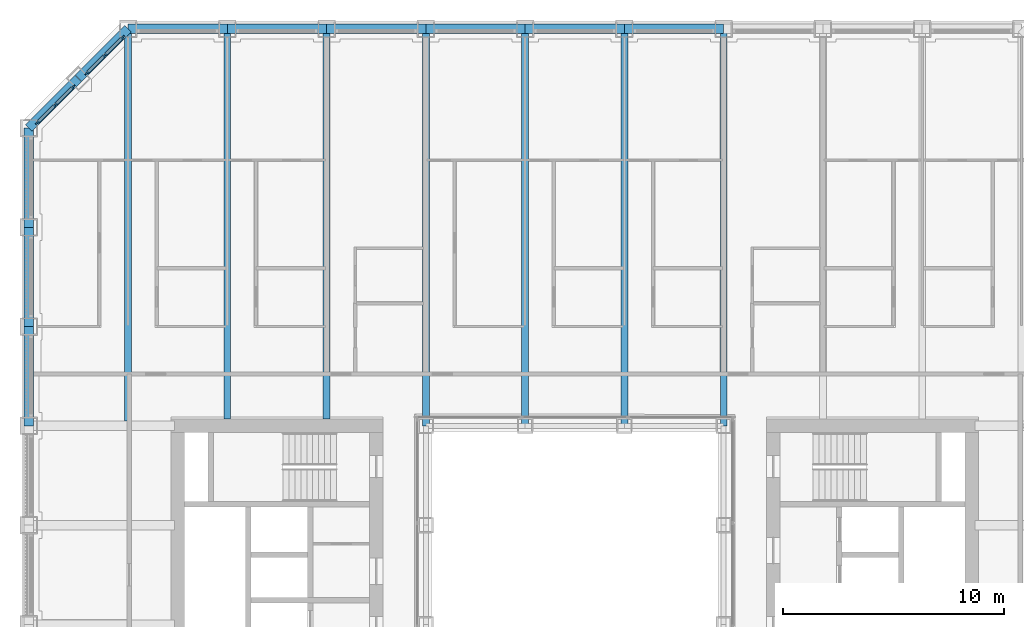
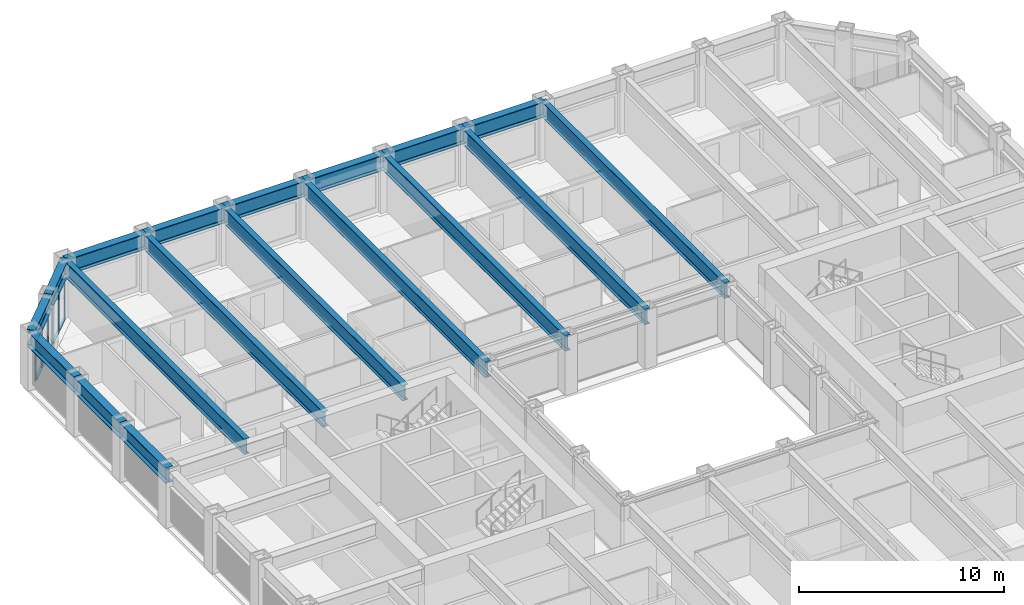
# One storey, part 6 of 20: 18 beams, 14 members, 2 elements without a shape of their own.
"""IFC4 building model written with IfcOpenShell, lengths in metres."""

from ifc_helpers import new_model, si_unit, direction, frame, origin, origin_2d, place, context, subcontext, project, spatial, rectangle, i_section, extrude, material, material_profile, profile_set, type_object, element, aggregate, save


model = new_model("IFC4")

# Units and contexts
model_context = context("Model", 3, precision=1e-05, world=origin(), true_north=direction((0.0, 1.0)))
body_context = subcontext(model_context, "Body", "Model", "MODEL_VIEW")
ifc_project = project(units=[si_unit("LENGTHUNIT", "METRE"), si_unit("AREAUNIT", "SQUARE_METRE"), si_unit("VOLUMEUNIT", "CUBIC_METRE"), si_unit("PLANEANGLEUNIT", "RADIAN"), si_unit("MASSUNIT", "GRAM", prefix="KILO")], contexts=[model_context])

# Site, building, storey
site_placement = place(None, origin())
site = spatial("IfcSite", under=ifc_project, at=site_placement, CompositionType="ELEMENT")
building_placement = place(site_placement, origin())
building = spatial("IfcBuilding", under=site, at=building_placement, Name="Msasa Ring Tower", CompositionType="ELEMENT")
storey_placement = place(building_placement, frame((0.0, 0.0, 61.5)))
storey = spatial("IfcBuildingStorey", under=building, at=storey_placement, Name="L15", CompositionType="ELEMENT", Elevation=61.5)

# Curtain wall, members
ifc_material_1 = material(Name="Aluminium curtain wall with clear glass", Category="aluminium")
curtain_wall_type = type_object("IfcCurtainWallType", Name="CW-C CHAMFER CORNER CURTAIN WALL", PredefinedType="NOTDEFINED", material=ifc_material_1)
curtain_wall_1_placement = place(storey_placement, origin())
curtain_wall_1 = element("IfcCurtainWall", 1, at=curtain_wall_1_placement, inside=storey, type_object=curtain_wall_type, Name="Chamfer corner curtain wall NW L15", PredefinedType="NOTDEFINED")
ifc_material_2 = material(Name="Aluminium mullion", Category="aluminium")
ifc_material_profile_1 = material_profile(ifc_material_2, rectangle(XDim=0.06494140625, YDim=0.179931640625, at=origin_2d()), Name="AL 65x180")
ifc_profile_set_1 = profile_set([ifc_material_profile_1], Name="Aluminium mullion")
member_type_1 = type_object("IfcMemberType", Name="CW-C MULLION 65x180", PredefinedType="MULLION", material=ifc_profile_set_1)
member_1_placement = place(storey_placement, frame((-22.73876953125, 22.119873046875, 0.0), z_axis=(0.0, 0.0, 1.0), x_axis=(0.707106781187, -0.707106781187, 0.0)))
member_1 = element("IfcMember", 2, at=member_1_placement, type_object=member_type_1, Name="CW-C mullion 1", PredefinedType="MULLION", context=body_context, shape_type="SweptSolid", body=[
    extrude(rectangle(XDim=0.06494140625, YDim=0.179931640625, at=origin_2d()), origin(), (0.0, 0.0, 1.0), 2.37890625),
])
member_2_placement = place(storey_placement, frame((-23.55419921875, 21.30419921875, 0.0), z_axis=(0.0, 0.0, 1.0), x_axis=(0.707106781187, -0.707106781187, 0.0)))
member_2 = element("IfcMember", 3, at=member_2_placement, type_object=member_type_1, Name="CW-C mullion 2", PredefinedType="MULLION", context=body_context, shape_type="SweptSolid", body=[
    extrude(rectangle(XDim=0.06494140625, YDim=0.179931640625, at=origin_2d()), origin(), (0.0, 0.0, 1.0), 2.37890625),
])
member_3_placement = place(storey_placement, frame((-24.369873046875, 20.48876953125, 0.0), z_axis=(0.0, 0.0, 1.0), x_axis=(0.707106781187, -0.707106781187, 0.0)))
member_3 = element("IfcMember", 4, at=member_3_placement, type_object=member_type_1, Name="CW-C mullion 3", PredefinedType="MULLION", context=body_context, shape_type="SweptSolid", body=[
    extrude(rectangle(XDim=0.06494140625, YDim=0.179931640625, at=origin_2d()), origin(), (0.0, 0.0, 1.0), 2.37890625),
])

curtain_wall_2_placement = place(storey_placement, origin())
curtain_wall_2 = element("IfcCurtainWall", 5, at=curtain_wall_2_placement, inside=storey, type_object=curtain_wall_type, Name="Chamfer corner curtain wall NW L15", PredefinedType="NOTDEFINED")
member_4_placement = place(storey_placement, frame((-20.48876953125, 24.369873046875, 0.0), z_axis=(0.0, 0.0, 1.0), x_axis=(0.707106781187, -0.707106781187, 0.0)))
member_4 = element("IfcMember", 6, at=member_4_placement, type_object=member_type_1, Name="CW-C mullion 1", PredefinedType="MULLION", context=body_context, shape_type="SweptSolid", body=[
    extrude(rectangle(XDim=0.06494140625, YDim=0.179931640625, at=origin_2d()), origin(), (0.0, 0.0, 1.0), 2.37890625),
])
member_5_placement = place(storey_placement, frame((-21.30419921875, 23.55419921875, 0.0), z_axis=(0.0, 0.0, 1.0), x_axis=(0.707106781187, -0.707106781187, 0.0)))
member_5 = element("IfcMember", 7, at=member_5_placement, type_object=member_type_1, Name="CW-C mullion 2", PredefinedType="MULLION", context=body_context, shape_type="SweptSolid", body=[
    extrude(rectangle(XDim=0.06494140625, YDim=0.179931640625, at=origin_2d()), origin(), (0.0, 0.0, 1.0), 2.37890625),
])
member_6_placement = place(storey_placement, frame((-22.119873046875, 22.73876953125, 0.0), z_axis=(0.0, 0.0, 1.0), x_axis=(0.707106781187, -0.707106781187, 0.0)))
member_6 = element("IfcMember", 8, at=member_6_placement, type_object=member_type_1, Name="CW-C mullion 3", PredefinedType="MULLION", context=body_context, shape_type="SweptSolid", body=[
    extrude(rectangle(XDim=0.06494140625, YDim=0.179931640625, at=origin_2d()), origin(), (0.0, 0.0, 1.0), 2.37890625),
])

# Member
ifc_material_3 = material(Name="Aluminium transom", Category="aluminium")
ifc_material_profile_2 = material_profile(ifc_material_3, rectangle(XDim=0.139892578125, YDim=0.06494140625, at=origin_2d()), Name="AL 65x140")
ifc_profile_set_2 = profile_set([ifc_material_profile_2], Name="Aluminium transom")
member_type_2 = type_object("IfcMemberType", Name="CW-C TRANSOM 65x140", PredefinedType="USERDEFINED", material=ifc_profile_set_2)
member_7_placement = place(storey_placement, frame((-22.76171875, 22.096923828125, 0.032470703125), z_axis=(-0.707106781187, -0.707106781187, 0.0), x_axis=(0.707106781187, -0.707106781187, 0.0)))
member_7 = element("IfcMember", 9, at=member_7_placement, type_object=member_type_2, Name="CW-C transom 1.1", ObjectType="TRANSOM", PredefinedType="USERDEFINED", context=body_context, shape_type="SweptSolid", body=[
    extrude(rectangle(XDim=0.139892578125, YDim=0.06494140625, at=origin_2d()), origin(), (0.0, 0.0, 1.0), 1.08837890625),
])

member_8_placement = place(storey_placement, frame((-22.76171875, 22.096923828125, 2.346435546875), z_axis=(-0.707106781187, -0.707106781187, 0.0), x_axis=(0.707106781187, -0.707106781187, 0.0)))
member_8 = element("IfcMember", 10, at=member_8_placement, type_object=member_type_2, Name="CW-C transom 1.2", ObjectType="TRANSOM", PredefinedType="USERDEFINED", context=body_context, shape_type="SweptSolid", body=[
    extrude(rectangle(XDim=0.139892578125, YDim=0.06494140625, at=origin_2d()), origin(), (0.0, 0.0, 1.0), 1.08837890625),
])

member_9_placement = place(storey_placement, frame((-23.577392578125, 21.28125, 0.032470703125), z_axis=(-0.707106781187, -0.707106781187, 0.0), x_axis=(0.707106781187, -0.707106781187, 0.0)))
member_9 = element("IfcMember", 11, at=member_9_placement, type_object=member_type_2, Name="CW-C transom 2.1", ObjectType="TRANSOM", PredefinedType="USERDEFINED", context=body_context, shape_type="SweptSolid", body=[
    extrude(rectangle(XDim=0.139892578125, YDim=0.06494140625, at=origin_2d()), origin(), (0.0, 0.0, 1.0), 1.08837890625),
])

member_10_placement = place(storey_placement, frame((-23.577392578125, 21.28125, 2.346435546875), z_axis=(-0.707106781187, -0.707106781187, 0.0), x_axis=(0.707106781187, -0.707106781187, 0.0)))
member_10 = element("IfcMember", 12, at=member_10_placement, type_object=member_type_2, Name="CW-C transom 2.2", ObjectType="TRANSOM", PredefinedType="USERDEFINED", context=body_context, shape_type="SweptSolid", body=[
    extrude(rectangle(XDim=0.139892578125, YDim=0.06494140625, at=origin_2d()), origin(), (0.0, 0.0, 1.0), 1.08837890625),
])

aggregate(curtain_wall_1, [member_1, member_2, member_3, member_7, member_8, member_9, member_10])

member_11_placement = place(storey_placement, frame((-20.51171875, 24.346923828125, 0.032470703125), z_axis=(-0.707106781187, -0.707106781187, 0.0), x_axis=(0.707106781187, -0.707106781187, 0.0)))
member_11 = element("IfcMember", 13, at=member_11_placement, type_object=member_type_2, Name="CW-C transom 1.1", ObjectType="TRANSOM", PredefinedType="USERDEFINED", context=body_context, shape_type="SweptSolid", body=[
    extrude(rectangle(XDim=0.139892578125, YDim=0.06494140625, at=origin_2d()), origin(), (0.0, 0.0, 1.0), 1.08837890625),
])

member_12_placement = place(storey_placement, frame((-20.51171875, 24.346923828125, 2.346435546875), z_axis=(-0.707106781187, -0.707106781187, 0.0), x_axis=(0.707106781187, -0.707106781187, 0.0)))
member_12 = element("IfcMember", 14, at=member_12_placement, type_object=member_type_2, Name="CW-C transom 1.2", ObjectType="TRANSOM", PredefinedType="USERDEFINED", context=body_context, shape_type="SweptSolid", body=[
    extrude(rectangle(XDim=0.139892578125, YDim=0.06494140625, at=origin_2d()), origin(), (0.0, 0.0, 1.0), 1.08837890625),
])

member_13_placement = place(storey_placement, frame((-21.327392578125, 23.53125, 0.032470703125), z_axis=(-0.707106781187, -0.707106781187, 0.0), x_axis=(0.707106781187, -0.707106781187, 0.0)))
member_13 = element("IfcMember", 15, at=member_13_placement, type_object=member_type_2, Name="CW-C transom 2.1", ObjectType="TRANSOM", PredefinedType="USERDEFINED", context=body_context, shape_type="SweptSolid", body=[
    extrude(rectangle(XDim=0.139892578125, YDim=0.06494140625, at=origin_2d()), origin(), (0.0, 0.0, 1.0), 1.08837890625),
])

member_14_placement = place(storey_placement, frame((-21.327392578125, 23.53125, 2.346435546875), z_axis=(-0.707106781187, -0.707106781187, 0.0), x_axis=(0.707106781187, -0.707106781187, 0.0)))
member_14 = element("IfcMember", 16, at=member_14_placement, type_object=member_type_2, Name="CW-C transom 2.2", ObjectType="TRANSOM", PredefinedType="USERDEFINED", context=body_context, shape_type="SweptSolid", body=[
    extrude(rectangle(XDim=0.139892578125, YDim=0.06494140625, at=origin_2d()), origin(), (0.0, 0.0, 1.0), 1.08837890625),
])

aggregate(curtain_wall_2, [member_4, member_5, member_6, member_11, member_12, member_13, member_14])

# Beams
ifc_material_4 = material(Name="Steel S355", Category="steel")
ifc_material_profile_3 = material_profile(ifc_material_4, i_section(OverallWidth=0.3076171875, OverallDepth=0.926513671875, WebThickness=0.01953125, FlangeThickness=0.031982421875, FilletRadius=0.01904296875, at=origin_2d()), Name="UB 914x305x289")
ifc_profile_set_3 = profile_set([ifc_material_profile_3], Name="Steel S355")
beam_type_1 = type_object("IfcBeamType", Name="FB3 UB 914x305x289", PredefinedType="BEAM", material=ifc_profile_set_3)
beam_placement = place(storey_placement, frame((-20.25, 24.75, 2.836669921875), z_axis=(0.0, -1.0, 0.0), x_axis=(1.0, 0.0, 0.0)))
element("IfcBeam", 17, at=beam_placement, inside=storey, type_object=beam_type_1, Name="Floor beam N-20.25 under L16", PredefinedType="BEAM", context=body_context, shape_type="SweptSolid", body=[
    extrude(i_section(OverallWidth=0.3076171875, OverallDepth=0.926513671875, WebThickness=0.01953125, FlangeThickness=0.031982421875, FilletRadius=0.01904296875, at=origin_2d()), origin(), (0.0, 0.0, 1.0), 17.789794921875),
])
for number, where, z_axis, x_axis, name in (
    (18, (-15.75, 24.75, 2.836669921875), (0.0, -1.0, 0.0), (1.0, 0.0, 0.0), "Floor beam N-15.75 under L16"),
    (19, (-11.25, 24.75, 2.836669921875), (0.0, -1.0, 0.0), (1.0, 0.0, 0.0), "Floor beam N-11.25 under L16"),
):
    element("IfcBeam", number, at=place(storey_placement, frame(where, z_axis=z_axis, x_axis=x_axis)), inside=storey, type_object=beam_type_1, Name=name, PredefinedType="BEAM", context=body_context, shape_type="SweptSolid", body=[
        extrude(i_section(OverallWidth=0.3076171875, OverallDepth=0.926513671875, WebThickness=0.01953125, FlangeThickness=0.031982421875, FilletRadius=0.01904296875, at=origin_2d()), origin(), (0.0, 0.0, 1.0), 17.699951171875),
    ])
for number, where, z_axis, x_axis, name in (
    (20, (-6.75, 24.75, 2.836669921875), (0.0, -1.0, 0.0), (1.0, 0.0, 0.0), "Floor beam N-6.75 under L16"),
    (21, (-2.25, 24.75, 2.836669921875), (0.0, -1.0, 0.0), (1.0, 0.0, 0.0), "Floor beam N-2.25 under L16"),
    (22, (2.25, 24.75, 2.836669921875), (0.0, -1.0, 0.0), (1.0, 0.0, 0.0), "Floor beam N+2.25 under L16"),
    (23, (6.75, 24.75, 2.836669921875), (0.0, -1.0, 0.0), (1.0, 0.0, 0.0), "Floor beam N+6.75 under L16"),
):
    element("IfcBeam", number, at=place(storey_placement, frame(where, z_axis=z_axis, x_axis=x_axis)), inside=storey, type_object=beam_type_1, Name=name, PredefinedType="BEAM", context=body_context, shape_type="SweptSolid", body=[
        extrude(i_section(OverallWidth=0.3076171875, OverallDepth=0.926513671875, WebThickness=0.01953125, FlangeThickness=0.031982421875, FilletRadius=0.01904296875, at=origin_2d()), origin(), (0.0, 0.0, 1.0), 18.0),
    ])
ifc_material_5 = material(Name="Steel S355", Category="steel")
ifc_material_profile_4 = material_profile(ifc_material_5, i_section(OverallWidth=0.42041015625, OverallDepth=0.9208984375, WebThickness=0.021484375, FlangeThickness=0.03662109375, FilletRadius=0.024169921875, at=origin_2d()), Name="UB 914x419x388")
ifc_profile_set_4 = profile_set([ifc_material_profile_4], Name="Steel S355")
beam_type_2 = type_object("IfcBeamType", Name="SB1 UB 914x419x388", PredefinedType="SPANDREL", material=ifc_profile_set_4)
for number, where, z_axis, x_axis, name in (
    (24, (6.75, 24.75, 2.839599609375), (-1.0, 0.0, 0.0), (0.0, -1.0, 0.0), "Spandrel N+6.75 to N+2.25 under L16"),
    (25, (2.25, 24.75, 2.839599609375), (-1.0, 0.0, 0.0), (0.0, -1.0, 0.0), "Spandrel N+2.25 to N-2.25 under L16"),
    (26, (-2.25, 24.75, 2.839599609375), (-1.0, 0.0, 0.0), (0.0, -1.0, 0.0), "Spandrel N-2.25 to N-6.75 under L16"),
    (27, (-6.75, 24.75, 2.839599609375), (-1.0, 0.0, 0.0), (0.0, -1.0, 0.0), "Spandrel N-6.75 to N-11.25 under L16"),
    (28, (-11.25, 24.75, 2.839599609375), (-1.0, 0.0, 0.0), (0.0, -1.0, 0.0), "Spandrel N-11.25 to N-15.75 under L16"),
    (29, (-15.75, 24.75, 2.839599609375), (-1.0, 0.0, 0.0), (0.0, -1.0, 0.0), "Spandrel N-15.75 to N-20.25 under L16"),
):
    element("IfcBeam", number, at=place(storey_placement, frame(where, z_axis=z_axis, x_axis=x_axis)), inside=storey, type_object=beam_type_2, Name=name, PredefinedType="SPANDREL", context=body_context, shape_type="SweptSolid", body=[
        extrude(i_section(OverallWidth=0.42041015625, OverallDepth=0.9208984375, WebThickness=0.021484375, FlangeThickness=0.03662109375, FilletRadius=0.024169921875, at=origin_2d()), origin(), (0.0, 0.0, 1.0), 4.5),
    ])
for number, where, z_axis, x_axis, name in (
    (30, (-20.25, 24.75, 2.839599609375), (-0.707106781187, -0.707106781187, 0.0), (0.707106781187, -0.707106781187, 0.0), "Spandrel N-20.25 to NW under L16"),
    (31, (-22.5, 22.5, 2.839599609375), (-0.707106781187, -0.707106781187, 0.0), (0.707106781187, -0.707106781187, 0.0), "Spandrel NW to W+20.25 under L16"),
):
    element("IfcBeam", number, at=place(storey_placement, frame(where, z_axis=z_axis, x_axis=x_axis)), inside=storey, type_object=beam_type_2, Name=name, PredefinedType="SPANDREL", context=body_context, shape_type="SweptSolid", body=[
        extrude(i_section(OverallWidth=0.42041015625, OverallDepth=0.9208984375, WebThickness=0.021484375, FlangeThickness=0.03662109375, FilletRadius=0.024169921875, at=origin_2d()), origin(), (0.0, 0.0, 1.0), 3.181884765625),
    ])
for number, where, z_axis, x_axis, name in (
    (32, (-24.75, 20.25, 2.839599609375), (0.0, -1.0, 0.0), (1.0, 0.0, 0.0), "Spandrel W+20.25 to W+15.75 under L16"),
    (33, (-24.75, 15.75, 2.839599609375), (0.0, -1.0, 0.0), (1.0, 0.0, 0.0), "Spandrel W+15.75 to W+11.25 under L16"),
    (34, (-24.75, 11.25, 2.839599609375), (0.0, -1.0, 0.0), (1.0, 0.0, 0.0), "Spandrel W+11.25 to W+6.75 under L16"),
):
    element("IfcBeam", number, at=place(storey_placement, frame(where, z_axis=z_axis, x_axis=x_axis)), inside=storey, type_object=beam_type_2, Name=name, PredefinedType="SPANDREL", context=body_context, shape_type="SweptSolid", body=[
        extrude(i_section(OverallWidth=0.42041015625, OverallDepth=0.9208984375, WebThickness=0.021484375, FlangeThickness=0.03662109375, FilletRadius=0.024169921875, at=origin_2d()), origin(), (0.0, 0.0, 1.0), 4.5),
    ])

save(model, "model.ifc")
